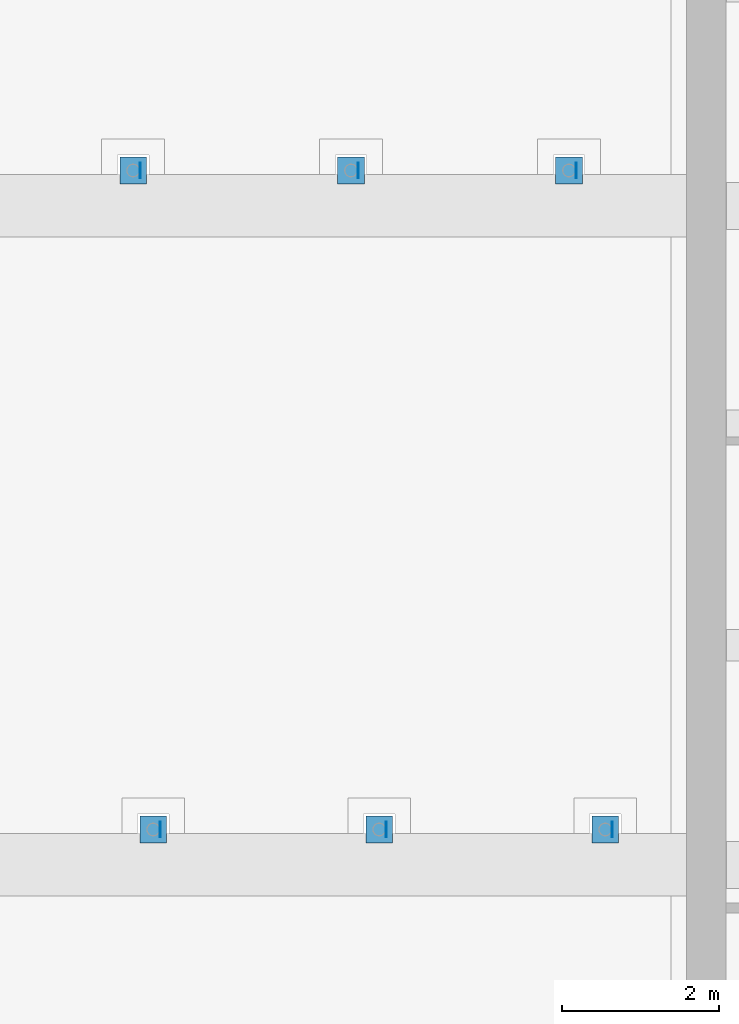
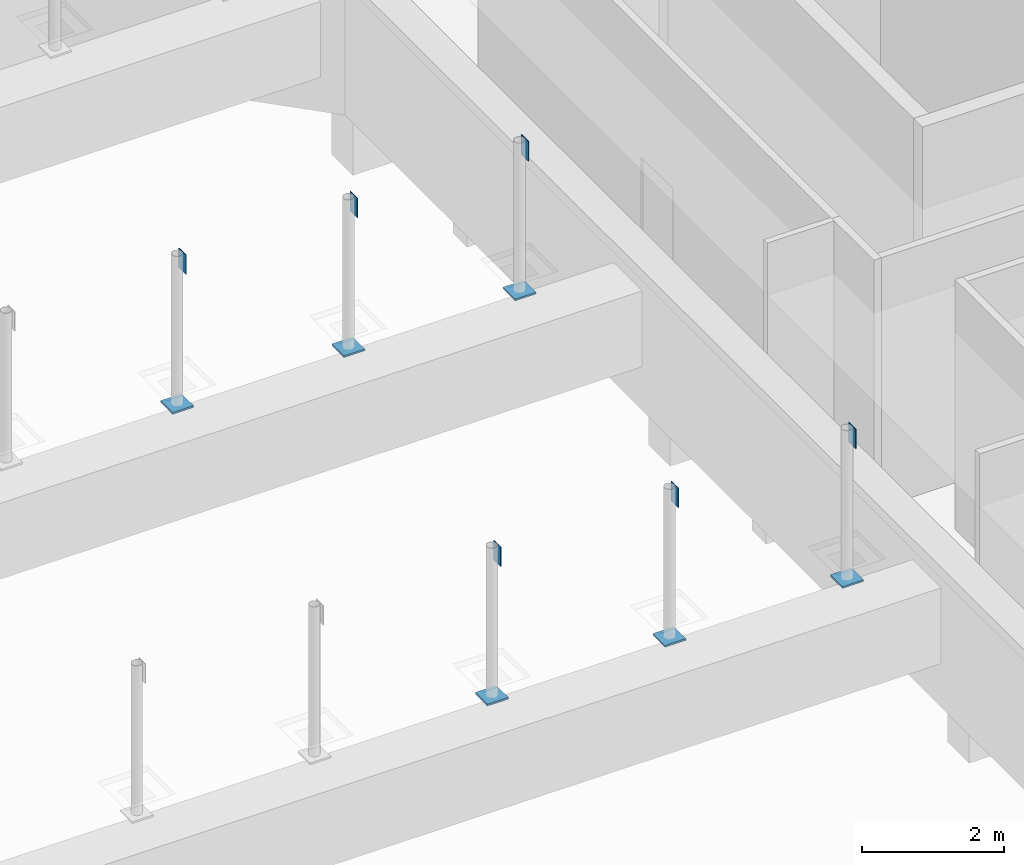
# One storey, part 39 of 47: 12 discrete accessories.
"""IFC4 building model written with IfcOpenShell, lengths in metres."""

from ifc_helpers import new_model, si_unit, direction, frame, origin, origin_2d, place, context, subcontext, project, spatial, rectangle, extrude, material, layer, layer_set, material_profile, profile_set, type_object, element, save


model = new_model("IFC4")

# Units and contexts
model_context = context("Model", 3, precision=1e-05, world=origin(), true_north=direction((0.0, 1.0)))
body_context = subcontext(model_context, "Body", "Model", "MODEL_VIEW")
ifc_project = project(units=[si_unit("LENGTHUNIT", "METRE"), si_unit("AREAUNIT", "SQUARE_METRE"), si_unit("VOLUMEUNIT", "CUBIC_METRE"), si_unit("PLANEANGLEUNIT", "RADIAN"), si_unit("MASSUNIT", "GRAM", prefix="KILO")], contexts=[model_context])

# Site, building, storey
site_placement = place(None, origin())
site = spatial("IfcSite", under=ifc_project, at=site_placement, CompositionType="ELEMENT")
building_placement = place(site_placement, origin())
building = spatial("IfcBuilding", under=site, at=building_placement, Name="Larchfold Concert Hall", CompositionType="ELEMENT")
storey_placement = place(building_placement, frame((0.0, 0.0, 24.0)))
storey = spatial("IfcBuildingStorey", under=building, at=storey_placement, Name="L05", CompositionType="ELEMENT", Elevation=24.0)

# Discrete accessories
ifc_material_1 = material(Name="Steel S355 galvanised bracket", Category="steel")
ifc_material_profile = material_profile(ifc_material_1, rectangle(XDim=0.011962890625, YDim=0.199951171875, at=origin_2d()))
ifc_profile_set = profile_set([ifc_material_profile], Name="Steel S355 galvanised bracket")
discrete_accessory_type_1 = type_object("IfcDiscreteAccessoryType", Name="Gusset plate 12x200", PredefinedType="BRACKET", material=ifc_profile_set)
for number, where, z_axis, x_axis, name in (
    (1, (49.8916015625, 85.050048828125, 4.30859375), (0.0, 0.0, 1.0), (1.0, 0.0, 0.0), "Gusset plate GP0100"),
    (2, (52.77197265625, 85.050048828125, 4.30859375), (0.0, 0.0, 1.0), (1.0, 0.0, 0.0), "Gusset plate GP0101"),
    (3, (55.652587890625, 85.050048828125, 4.3134765625), (0.0, 0.0, 1.0), (1.0, 0.0, 0.0), "Gusset plate GP0102"),
    (4, (49.635009765625, 93.4501953125, 4.3134765625), (0.0, 0.0, 1.0), (1.0, 0.0, 0.0), "Gusset plate GP0110"),
    (5, (52.4130859375, 93.4501953125, 4.3134765625), (0.0, 0.0, 1.0), (1.0, 0.0, 0.0), "Gusset plate GP0111"),
    (6, (55.19091796875, 93.4501953125, 4.3134765625), (0.0, 0.0, 1.0), (1.0, 0.0, 0.0), "Gusset plate GP0112"),
):
    element("IfcDiscreteAccessory", number, at=place(storey_placement, frame(where, z_axis=z_axis, x_axis=x_axis)), inside=storey, type_object=discrete_accessory_type_1, Name=name, PredefinedType="BRACKET", context=body_context, shape_type="SweptSolid", body=[
        extrude(rectangle(XDim=0.011962890625, YDim=0.199951171875, at=origin_2d()), origin(), (0.0, 0.0, 1.0), 0.336669921875),
    ])
ifc_material_2 = material(Name="Steel S355 galvanised bracket", Category="steel")
ifc_layer = layer(ifc_material_2, 0.030029296875)
ifc_layer_set = layer_set([ifc_layer], Name="Steel S355 galvanised bracket")
discrete_accessory_type_2 = type_object("IfcDiscreteAccessoryType", Name="Post base plate 340x340x30", PredefinedType="BRACKET", material=ifc_layer_set)
for number, where, z_axis, x_axis, name in (
    (7, (49.801513671875, 85.050048828125, 2.0498046875), (0.0, 0.0, 1.0), (1.0, 0.0, 0.0), "Post base plate BP028"),
    (8, (52.681884765625, 85.050048828125, 2.0498046875), (0.0, 0.0, 1.0), (1.0, 0.0, 0.0), "Post base plate BP029"),
    (9, (55.5625, 85.050048828125, 2.0498046875), (0.0, 0.0, 1.0), (1.0, 0.0, 0.0), "Post base plate BP030"),
    (10, (49.544921875, 93.4501953125, 2.0498046875), (0.0, 0.0, 1.0), (1.0, 0.0, 0.0), "Post base plate BP038"),
    (11, (52.322998046875, 93.4501953125, 2.0498046875), (0.0, 0.0, 1.0), (1.0, 0.0, 0.0), "Post base plate BP039"),
    (12, (55.100830078125, 93.4501953125, 2.0498046875), (0.0, 0.0, 1.0), (1.0, 0.0, 0.0), "Post base plate BP040"),
):
    element("IfcDiscreteAccessory", number, at=place(storey_placement, frame(where, z_axis=z_axis, x_axis=x_axis)), inside=storey, type_object=discrete_accessory_type_2, Name=name, PredefinedType="BRACKET", context=body_context, shape_type="SweptSolid", body=[
        extrude(rectangle(XDim=0.340087890625, YDim=0.340087890625, at=origin_2d()), origin(), (0.0, 0.0, 1.0), 0.030029296875),
    ])

save(model, "model.ifc")
